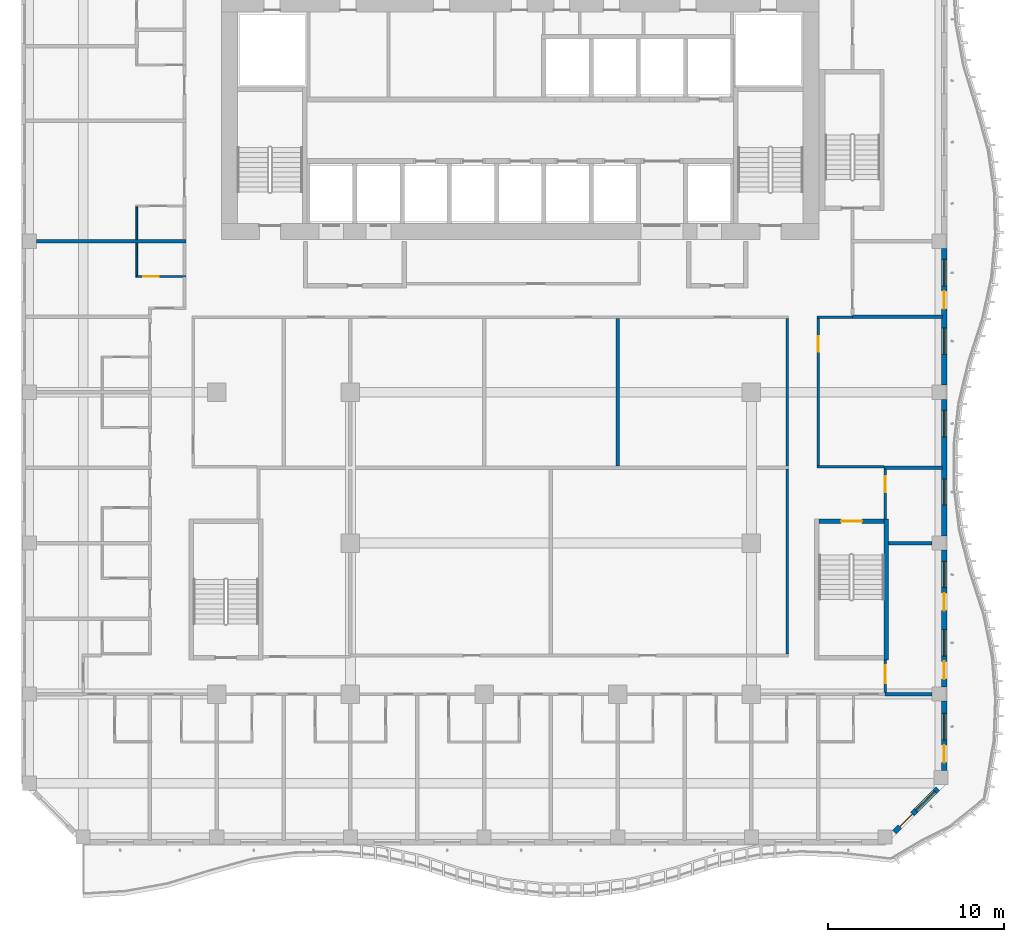
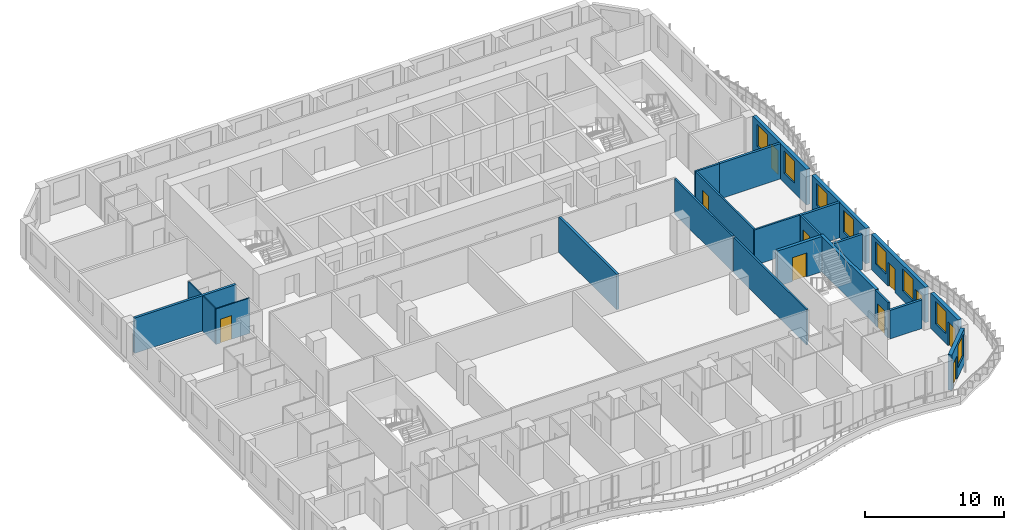
# One storey, part 6 of 22: 23 walls, 10 doors, 8 windows, 18 openings.
"""IFC4 building model written with IfcOpenShell, lengths in metres."""

from ifc_helpers import new_model, si_unit, direction, frame, frame_2d, origin, place, context, subcontext, project, spatial, rectangle, extrude, source, transform, mapped, material, layer, layer_set, type_object, element, fill, save


model = new_model("IFC4")

# Units and contexts
model_context = context("Model", 3, precision=1e-05, world=origin(), true_north=direction((0.0, 1.0)))
body_context = subcontext(model_context, "Body", "Model", "MODEL_VIEW")
ifc_project = project(units=[si_unit("LENGTHUNIT", "METRE"), si_unit("AREAUNIT", "SQUARE_METRE"), si_unit("VOLUMEUNIT", "CUBIC_METRE"), si_unit("PLANEANGLEUNIT", "RADIAN"), si_unit("MASSUNIT", "GRAM", prefix="KILO")], contexts=[model_context])

# Site, building, storey
site_placement = place(None, origin())
site = spatial("IfcSite", under=ifc_project, at=site_placement, CompositionType="ELEMENT")
building_placement = place(site_placement, origin())
building = spatial("IfcBuilding", under=site, at=building_placement, Name="Kilnfold Tower and Market Hall", CompositionType="ELEMENT")
storey_placement = place(building_placement, frame((0.0, 0.0, 171.89990234375)))
storey = spatial("IfcBuildingStorey", under=building, at=storey_placement, Name="L40", CompositionType="ELEMENT", Elevation=171.89990234375)

# Wall
ifc_material_1 = material(Name="Gypsum board on steel studs", Category="steel")
ifc_layer_1 = layer(ifc_material_1, 0.14990234375)
ifc_layer_set_1 = layer_set([ifc_layer_1], Name="Gypsum board on steel studs")
wall_type_1 = type_object("IfcWallType", Name="WALL CORRIDOR 150", PredefinedType="PARTITIONING", material=ifc_layer_set_1)
wall_1_placement = place(storey_placement, frame((17.884033203125, 3.699951171875, 0.0), z_axis=(0.0, 0.0, 1.0), x_axis=(1.0, 0.0, 0.0)))
element("IfcWall", 1, at=wall_1_placement, inside=storey, type_object=wall_type_1, Name="Partition LY26.34", PredefinedType="PARTITIONING", context=body_context, shape_type="SweptSolid", body=[
    extrude(rectangle(XDim=2.015869140625, YDim=0.14990234375, at=frame_2d((1.0078125, 0.0))), origin(), (0.0, 0.0, 1.0), 3.1201171875),
])

# Wall, opening, door
wall_2_placement = place(storey_placement, frame((17.958984375, -4.72509765625, 0.0), z_axis=(0.0, 0.0, 1.0), x_axis=(0.0, 1.0, 0.0)))
wall_2 = element("IfcWall", 2, at=wall_2_placement, inside=storey, type_object=wall_type_1, Name="Partition LY26.35", PredefinedType="PARTITIONING", context=body_context, shape_type="SweptSolid", body=[
    extrude(rectangle(XDim=8.35009765625, YDim=0.14990234375, at=frame_2d((4.175048828125, 0.0))), origin(), (0.0, 0.0, 1.0), 3.1201171875),
])
opening_1_placement = place(wall_2_placement, frame((6.444091796875, 0.0, 0.0)))
opening_1 = element("IfcOpeningElement", 3, at=opening_1_placement, cuts=wall_2, Name="Opening D2", PredefinedType="OPENING", context=body_context, shape_type="SweptSolid", body=[
    extrude(rectangle(XDim=0.89990234375, YDim=2.10009765625, at=frame_2d((0.449951171875, 1.050048828125))), frame((0.0, 0.0849609375, 0.0), z_axis=(0.0, -1.0, 0.0), x_axis=(1.0, 0.0, 0.0)), (0.0, 0.0, 1.0), 0.169921875),
])
ifc_material_2 = material(Name="Timber veneer door leaf in steel frame", Category="steel")
door_type_1 = type_object("IfcDoorType", Name="DOOR ROOM 900 X2100", OperationType="NOTDEFINED", PredefinedType="DOOR", material=ifc_material_2)
door_1_placement = place(opening_1_placement, origin())
door_1 = element("IfcDoor", 4, at=door_1_placement, inside=storey, type_object=door_type_1, Name="Door D2", OperationType="SINGLE_SWING_LEFT", OverallHeight=2.10009765625, OverallWidth=0.89990234375, PredefinedType="DOOR", context=body_context, shape_type="SweptSolid", body=[
    extrude(rectangle(XDim=0.89990234375, YDim=2.10009765625, at=frame_2d((0.449951171875, 1.050048828125))), frame((0.0, 0.02490234375, 0.0), z_axis=(0.0, -1.0, 0.0), x_axis=(1.0, 0.0, 0.0)), (0.0, 0.0, 1.0), 0.050048828125),
])
fill(opening_1, door_1)

# Wall
wall_3_placement = place(storey_placement, frame((17.884033203125, -4.800048828125, 0.0), z_axis=(0.0, 0.0, 1.0), x_axis=(1.0, 0.0, 0.0)))
element("IfcWall", 5, at=wall_3_placement, inside=storey, type_object=wall_type_1, Name="Partition LY26.36", PredefinedType="PARTITIONING", context=body_context, shape_type="SweptSolid", body=[
    extrude(rectangle(XDim=3.79296875, YDim=0.14990234375, at=frame_2d((1.896484375, 0.0))), origin(), (0.0, 0.0, 1.0), 3.1201171875),
])

# Wall, opening, door
wall_4_placement = place(storey_placement, frame((21.75, -7.75, 0.0), z_axis=(0.0, 0.0, 1.0), x_axis=(0.0, 1.0, 0.0)))
wall_4 = element("IfcWall", 6, at=wall_4_placement, inside=storey, type_object=wall_type_1, Name="Partition LY26.37", PredefinedType="PARTITIONING", context=body_context, shape_type="SweptSolid", body=[
    extrude(rectangle(XDim=2.81689453125, YDim=0.14990234375, at=frame_2d((1.408447265625, 0.0))), origin(), (0.0, 0.0, 1.0), 3.1201171875),
])
opening_2_placement = place(wall_4_placement, frame((1.514892578125, 0.0, 0.0)))
opening_2 = element("IfcOpeningElement", 7, at=opening_2_placement, cuts=wall_4, Name="Opening D2", PredefinedType="OPENING", context=body_context, shape_type="SweptSolid", body=[
    extrude(rectangle(XDim=0.89990234375, YDim=2.10009765625, at=frame_2d((0.449951171875, 1.050048828125))), frame((0.0, 0.0849609375, 0.0), z_axis=(0.0, -1.0, 0.0), x_axis=(1.0, 0.0, 0.0)), (0.0, 0.0, 1.0), 0.169921875),
])
door_2_placement = place(opening_2_placement, origin())
door_2 = element("IfcDoor", 8, at=door_2_placement, inside=storey, type_object=door_type_1, Name="Door D2", OperationType="SINGLE_SWING_RIGHT", OverallHeight=2.10009765625, OverallWidth=0.89990234375, PredefinedType="DOOR", context=body_context, shape_type="SweptSolid", body=[
    extrude(rectangle(XDim=0.89990234375, YDim=2.10009765625, at=frame_2d((0.449951171875, 1.050048828125))), frame((0.0, 0.02490234375, 0.0), z_axis=(0.0, -1.0, 0.0), x_axis=(1.0, 0.0, 0.0)), (0.0, 0.0, 1.0), 0.050048828125),
])
fill(opening_2, door_2)

wall_5_placement = place(storey_placement, frame((21.75, -17.597900390625, 0.0), z_axis=(0.0, 0.0, 1.0), x_axis=(0.0, 1.0, 0.0)))
wall_5 = element("IfcWall", 9, at=wall_5_placement, inside=storey, type_object=wall_type_1, Name="Partition LY26.38", PredefinedType="PARTITIONING", context=body_context, shape_type="SweptSolid", body=[
    extrude(rectangle(XDim=1.847900390625, YDim=0.14990234375, at=frame_2d((0.923828125, 0.0))), origin(), (0.0, 0.0, 1.0), 3.1201171875),
])
opening_3_placement = place(wall_5_placement, frame((0.535888671875, 0.0, 0.0)))
opening_3 = element("IfcOpeningElement", 10, at=opening_3_placement, cuts=wall_5, Name="Opening D4", PredefinedType="OPENING", context=body_context, shape_type="SweptSolid", body=[
    extrude(rectangle(XDim=1.0, YDim=2.10009765625, at=frame_2d((0.5, 1.050048828125))), frame((0.0, 0.0849609375, 0.0), z_axis=(0.0, -1.0, 0.0), x_axis=(1.0, 0.0, 0.0)), (0.0, 0.0, 1.0), 0.169921875),
])
ifc_material_3 = material(Name="Timber veneer door leaf in steel frame", Category="steel")
door_type_2 = type_object("IfcDoorType", Name="DOOR SERVICE 1000 X2100", OperationType="NOTDEFINED", PredefinedType="DOOR", material=ifc_material_3)
door_3_placement = place(opening_3_placement, origin())
door_3 = element("IfcDoor", 11, at=door_3_placement, inside=storey, type_object=door_type_2, Name="Door D4", OperationType="SINGLE_SWING_RIGHT", OverallHeight=2.10009765625, OverallWidth=1.0, PredefinedType="DOOR", context=body_context, shape_type="SweptSolid", body=[
    extrude(rectangle(XDim=1.0, YDim=2.10009765625, at=frame_2d((0.5, 1.050048828125))), frame((0.0, 0.02490234375, 0.0), z_axis=(0.0, -1.0, 0.0), x_axis=(1.0, 0.0, 0.0)), (0.0, 0.0, 1.0), 0.050048828125),
])
fill(opening_3, door_3)

# Walls
wall_6_placement = place(storey_placement, frame((16.199951171875, -4.7529296875, 0.0), z_axis=(0.0, 0.0, 1.0), x_axis=(0.0, 1.0, 0.0)))
element("IfcWall", 12, at=wall_6_placement, inside=storey, type_object=wall_type_1, Name="Partition LY26.45", PredefinedType="PARTITIONING", context=body_context, shape_type="SweptSolid", body=[
    extrude(rectangle(XDim=8.3779296875, YDim=0.14990234375, at=frame_2d((4.18896484375, 0.0))), origin(), (0.0, 0.0, 1.0), 3.1201171875),
])
wall_7_placement = place(storey_placement, frame((16.199951171875, -15.425048828125, 0.0), z_axis=(0.0, 0.0, 1.0), x_axis=(0.0, 1.0, 0.0)))
element("IfcWall", 13, at=wall_7_placement, inside=storey, type_object=wall_type_1, Name="Partition LY26.49", PredefinedType="PARTITIONING", context=body_context, shape_type="SweptSolid", body=[
    extrude(rectangle(XDim=10.491943359375, YDim=0.14990234375, at=frame_2d((5.24609375, 0.0))), origin(), (0.0, 0.0, 1.0), 3.1201171875),
])

# Wall, opening, door
ifc_material_4 = material(Name="Gypsum board on steel studs", Category="steel")
ifc_layer_2 = layer(ifc_material_4, 0.10009765625)
ifc_layer_set_2 = layer_set([ifc_layer_2], Name="Gypsum board on steel studs")
wall_type_2 = type_object("IfcWallType", Name="WALL PARTITION 100", PredefinedType="PARTITIONING", material=ifc_layer_set_2)
wall_8_placement = place(storey_placement, frame((-17.927001953125, 6.0, 0.0), z_axis=(0.0, 0.0, 1.0), x_axis=(-1.0, 0.0, 0.0)))
wall_8 = element("IfcWall", 14, at=wall_8_placement, inside=storey, type_object=wall_type_2, Name="Partition LY26.104", PredefinedType="PARTITIONING", context=body_context, shape_type="SweptSolid", body=[
    extrude(rectangle(XDim=2.824951171875, YDim=0.10009765625, at=frame_2d((1.41259765625, 0.0))), origin(), (0.0, 0.0, 1.0), 3.1201171875),
])
opening_4_placement = place(wall_8_placement, frame((1.52197265625, 0.0, 0.0)))
opening_4 = element("IfcOpeningElement", 15, at=opening_4_placement, cuts=wall_8, Name="Opening D3", PredefinedType="OPENING", context=body_context, shape_type="SweptSolid", body=[
    extrude(rectangle(XDim=0.89990234375, YDim=2.10009765625, at=frame_2d((0.449951171875, 1.050048828125))), frame((0.0, 0.06005859375, 0.0), z_axis=(0.0, -1.0, 0.0), x_axis=(1.0, 0.0, 0.0)), (0.0, 0.0, 1.0), 0.1201171875),
])
ifc_material_5 = material(Name="Timber veneer door leaf in steel frame", Category="steel")
door_type_3 = type_object("IfcDoorType", Name="DOOR WC 900 X2100", OperationType="NOTDEFINED", PredefinedType="DOOR", material=ifc_material_5)
door_4_placement = place(opening_4_placement, origin())
door_4 = element("IfcDoor", 16, at=door_4_placement, inside=storey, type_object=door_type_3, Name="Door D3", OperationType="SINGLE_SWING_RIGHT", OverallHeight=2.10009765625, OverallWidth=0.89990234375, PredefinedType="DOOR", context=body_context, shape_type="SweptSolid", body=[
    extrude(rectangle(XDim=0.89990234375, YDim=2.10009765625, at=frame_2d((0.449951171875, 1.050048828125))), frame((0.0, 0.02490234375, 0.0), z_axis=(0.0, -1.0, 0.0), x_axis=(1.0, 0.0, 0.0)), (0.0, 0.0, 1.0), 0.050048828125),
])
fill(opening_4, door_4)

# Walls
for number, where, z_axis, x_axis, name in (
    (17, (-20.701904296875, 6.050048828125, 0.0), (0.0, 0.0, 1.0), (0.0, 1.0, 0.0), "Partition LY26.105"),
    (18, (-20.701904296875, 8.10009765625, 0.0), (0.0, 0.0, 1.0), (0.0, 1.0, 0.0), "Partition LY26.108"),
):
    element("IfcWall", number, at=place(storey_placement, frame(where, z_axis=z_axis, x_axis=x_axis)), inside=storey, type_object=wall_type_2, Name=name, PredefinedType="PARTITIONING", context=body_context, shape_type="SweptSolid", body=[
        extrude(rectangle(XDim=1.849853515625, YDim=0.10009765625, at=frame_2d((0.9248046875, 0.0))), origin(), (0.0, 0.0, 1.0), 3.1201171875),
    ])
ifc_material_6 = material(Name="Gypsum board on steel studs", Category="steel")
ifc_layer_3 = layer(ifc_material_6, 0.199951171875)
ifc_layer_set_3 = layer_set([ifc_layer_3], Name="Gypsum board on steel studs")
wall_type_3 = type_object("IfcWallType", Name="WALL PARTY 200", PredefinedType="PARTITIONING", material=ifc_layer_set_3)
wall_9_placement = place(storey_placement, frame((21.751953125, -17.68798828125, 0.0), z_axis=(0.0, 0.0, 1.0), x_axis=(1.0, 0.0, 0.0)))
element("IfcWall", 19, at=wall_9_placement, inside=storey, type_object=wall_type_3, Name="Partition LY26.88", PredefinedType="PARTITIONING", context=body_context, shape_type="SweptSolid", body=[
    extrude(rectangle(XDim=2.64794921875, YDim=0.199951171875, at=frame_2d((1.323974609375, 0.0))), origin(), (0.0, 0.0, 1.0), 2.52001953125),
])
wall_10_placement = place(storey_placement, frame((-26.39990234375, 8.0, 0.0), z_axis=(0.0, 0.0, 1.0), x_axis=(1.0, 0.0, 0.0)))
element("IfcWall", 20, at=wall_10_placement, inside=storey, type_object=wall_type_3, Name="Partition LY26.106", PredefinedType="PARTITIONING", context=body_context, shape_type="SweptSolid", body=[
    extrude(rectangle(XDim=8.472900390625, YDim=0.199951171875, at=frame_2d((4.236328125, 0.0))), origin(), (0.0, 0.0, 1.0), 3.1201171875),
])
wall_11_placement = place(storey_placement, frame((19.902099609375, 3.718994140625, 0.0), z_axis=(0.0, 0.0, 1.0), x_axis=(1.0, 0.0, 0.0)))
element("IfcWall", 21, at=wall_11_placement, inside=storey, type_object=wall_type_3, Name="Partition LY26.119", PredefinedType="PARTITIONING", context=body_context, shape_type="SweptSolid", body=[
    extrude(rectangle(XDim=5.097900390625, YDim=0.199951171875, at=frame_2d((2.548828125, 0.0))), origin(), (0.0, 0.0, 1.0), 3.1201171875),
])
wall_12_placement = place(storey_placement, frame((21.677001953125, -4.843017578125, 0.0), z_axis=(0.0, 0.0, 1.0), x_axis=(1.0, 0.0, 0.0)))
element("IfcWall", 22, at=wall_12_placement, inside=storey, type_object=wall_type_3, Name="Partition LY26.122", PredefinedType="PARTITIONING", context=body_context, shape_type="SweptSolid", body=[
    extrude(rectangle(XDim=3.322998046875, YDim=0.199951171875, at=frame_2d((1.66162109375, 0.0))), origin(), (0.0, 0.0, 1.0), 3.1201171875),
])
wall_13_placement = place(storey_placement, frame((21.949951171875, -9.125, 0.0), z_axis=(0.0, 0.0, 1.0), x_axis=(1.0, 0.0, 0.0)))
element("IfcWall", 23, at=wall_13_placement, inside=storey, type_object=wall_type_3, Name="Partition LY26.123", PredefinedType="PARTITIONING", context=body_context, shape_type="SweptSolid", body=[
    extrude(rectangle(XDim=2.449951171875, YDim=0.199951171875, at=frame_2d((1.22509765625, 0.0))), origin(), (0.0, 0.0, 1.0), 3.1201171875),
])
wall_14_placement = place(storey_placement, frame((6.5830078125, -4.742919921875, 0.0), z_axis=(0.0, 0.0, 1.0), x_axis=(0.0, 1.0, 0.0)))
element("IfcWall", 24, at=wall_14_placement, inside=storey, type_object=wall_type_3, Name="Partition LY26.139", PredefinedType="PARTITIONING", context=body_context, shape_type="SweptSolid", body=[
    extrude(rectangle(XDim=8.365966796875, YDim=0.199951171875, at=frame_2d((4.18310546875, 0.0))), origin(), (0.0, 0.0, 1.0), 3.1201171875),
])

# Wall, opening, door
ifc_material_7 = material(Name="Concrete C70", Category="concrete")
ifc_layer_4 = layer(ifc_material_7, 0.25)
ifc_layer_set_4 = layer_set([ifc_layer_4], Name="Concrete C70")
wall_type_4 = type_object("IfcWallType", Name="CORE WALL 250 C70", PredefinedType="SHEAR", material=ifc_layer_set_4)
shared_shape_1 = source(origin(), body_context, "Body", "SweptSolid", [
    extrude(rectangle(XDim=3.699951171875, YDim=0.25, at=frame_2d((1.85009765625, 0.0))), origin(), (0.0, 0.0, 1.0), 3.1201171875),
])
wall_15_placement = place(storey_placement, frame((18.0, -7.875, 0.0), z_axis=(0.0, 0.0, 1.0), x_axis=(1.0, 0.0, 0.0)))
wall_15 = element("IfcWall", 25, at=wall_15_placement, inside=storey, type_object=wall_type_4, Name="Stair enclosure ST4", PredefinedType="SHEAR", context=body_context, shape_type="MappedRepresentation", body=[
    mapped(shared_shape_1, transform((0.0, 0.0, 0.0))),
])
opening_5_placement = place(wall_15_placement, frame((1.25, 0.0, 0.0)))
opening_5 = element("IfcOpeningElement", 26, at=opening_5_placement, cuts=wall_15, Name="Opening SD1", PredefinedType="OPENING", context=body_context, shape_type="SweptSolid", body=[
    extrude(rectangle(XDim=1.199951171875, YDim=2.10009765625, at=frame_2d((0.60009765625, 1.050048828125))), frame((0.0, 0.135009765625, 0.0), z_axis=(0.0, -1.0, 0.0), x_axis=(1.0, 0.0, 0.0)), (0.0, 0.0, 1.0), 0.27001953125),
])
ifc_material_8 = material(Name="Steel door set with fire-resisting leaf", Category="steel")
door_type_4 = type_object("IfcDoorType", Name="STAIR FLOOR DOOR 1200X2100", OperationType="NOTDEFINED", PredefinedType="DOOR", material=ifc_material_8)
door_5_placement = place(opening_5_placement, origin())
door_5 = element("IfcDoor", 27, at=door_5_placement, inside=storey, type_object=door_type_4, Name="Exit stair ST4 door", OperationType="DOUBLE_DOOR_SINGLE_SWING", OverallHeight=2.10009765625, OverallWidth=1.199951171875, PredefinedType="DOOR", context=body_context, shape_type="SweptSolid", body=[
    extrude(rectangle(XDim=1.199951171875, YDim=2.10009765625, at=frame_2d((0.60009765625, 1.050048828125))), frame((0.0, 0.02490234375, 0.0), z_axis=(0.0, -1.0, 0.0), x_axis=(1.0, 0.0, 0.0)), (0.0, 0.0, 1.0), 0.050048828125),
])
fill(opening_5, door_5)

# Wall
shared_shape_2 = source(origin(), body_context, "Body", "SweptSolid", [
    extrude(rectangle(XDim=8.0, YDim=0.25, at=frame_2d((4.0, 0.0))), origin(), (0.0, 0.0, 1.0), 3.1201171875),
])
wall_16_placement = place(storey_placement, frame((21.824951171875, -15.75, 0.0), z_axis=(0.0, 0.0, 1.0), x_axis=(0.0, 1.0, 0.0)))
element("IfcWall", 28, at=wall_16_placement, inside=storey, type_object=wall_type_4, Name="Stair enclosure ST4", PredefinedType="SHEAR", context=body_context, shape_type="MappedRepresentation", body=[
    mapped(shared_shape_2, transform((0.0, 0.0, 0.0))),
])

# Wall, openings, door, window
ifc_material_9 = material(Name="Precast concrete C50/60", Category="concrete")
ifc_layer_5 = layer(ifc_material_9, 0.300048828125)
ifc_layer_set_5 = layer_set([ifc_layer_5], Name="Precast concrete C50/60")
wall_type_5 = type_object("IfcWallType", Name="PRECAST WALL 300", PredefinedType="SOLIDWALL", material=ifc_layer_set_5)
shared_shape_3 = source(origin(), body_context, "Body", "SweptSolid", [
    extrude(rectangle(XDim=3.500244140625, YDim=0.300048828125, at=frame_2d((1.75, 0.0))), origin(), (0.0, 0.0, 1.0), 3.1201171875),
])
wall_17_placement = place(storey_placement, frame((22.268798828125, -25.518798828125, 0.0), z_axis=(0.0, 0.0, 1.0), x_axis=(0.707141656123, 0.70707190453, 0.0)))
wall_17 = element("IfcWall", 29, at=wall_17_placement, inside=storey, type_object=wall_type_5, Name="External wall L40 SE", PredefinedType="SOLIDWALL", context=body_context, shape_type="MappedRepresentation", body=[
    mapped(shared_shape_3, transform((0.0, 0.0, 0.0))),
])
opening_6_placement = place(wall_17_placement, frame((1.75, 0.0, 0.85009765625)))
opening_6 = element("IfcOpeningElement", 30, at=opening_6_placement, cuts=wall_17, Name="Opening W4", PredefinedType="OPENING", context=body_context, shape_type="SweptSolid", body=[
    extrude(rectangle(XDim=1.5, YDim=1.949951171875, at=frame_2d((0.75, 0.97509765625))), frame((0.0, 0.16015625, 0.0), z_axis=(0.0, -1.0, 0.0), x_axis=(1.0, 0.0, 0.0)), (0.0, 0.0, 1.0), 0.320068359375),
])
opening_7_placement = place(wall_17_placement, frame((0.449951171875, 0.0, 0.0)))
opening_7 = element("IfcOpeningElement", 31, at=opening_7_placement, cuts=wall_17, Name="Opening BD1", PredefinedType="OPENING", context=body_context, shape_type="SweptSolid", body=[
    extrude(rectangle(XDim=1.0, YDim=2.10009765625, at=frame_2d((0.5, 1.050048828125))), frame((0.0, 0.16015625, 0.0), z_axis=(0.0, -1.0, 0.0), x_axis=(1.0, 0.0, 0.0)), (0.0, 0.0, 1.0), 0.320068359375),
])
ifc_material_10 = material(Name="Aluminium frame and double glazing", Category="aluminium")
door_type_5 = type_object("IfcDoorType", Name="BALCONY DOOR 1000X2100", OperationType="NOTDEFINED", PredefinedType="DOOR", material=ifc_material_10)
door_6_placement = place(opening_7_placement, origin())
door_6 = element("IfcDoor", 32, at=door_6_placement, inside=storey, type_object=door_type_5, Name="Balcony door BD1 L40 SE-1", OperationType="SINGLE_SWING_LEFT", OverallHeight=2.10009765625, OverallWidth=1.0, PredefinedType="DOOR", context=body_context, shape_type="SweptSolid", body=[
    extrude(rectangle(XDim=1.0, YDim=2.10009765625, at=frame_2d((0.5, 1.050048828125))), frame((0.0, 0.02490234375, 0.0), z_axis=(0.0, -1.0, 0.0), x_axis=(1.0, 0.0, 0.0)), (0.0, 0.0, 1.0), 0.050048828125),
])
fill(opening_7, door_6)
ifc_material_11 = material(Name="Aluminium frame and double glazing", Category="aluminium")
window_type = type_object("IfcWindowType", Name="WINDOW W4 1500X1950", PartitioningType="SINGLE_PANEL", PredefinedType="WINDOW", material=ifc_material_11)
window_1_placement = place(opening_6_placement, origin())
window_1 = element("IfcWindow", 33, at=window_1_placement, inside=storey, type_object=window_type, Name="Window W4 L40 SE-1", OverallHeight=1.949951171875, OverallWidth=1.5, PartitioningType="SINGLE_PANEL", PredefinedType="WINDOW", context=body_context, shape_type="SweptSolid", body=[
    extrude(rectangle(XDim=1.5, YDim=1.949951171875, at=frame_2d((0.75, 0.97509765625))), frame((0.0, 0.030029296875, 0.0), z_axis=(0.0, -1.0, 0.0), x_axis=(1.0, 0.0, 0.0)), (0.0, 0.0, 1.0), 0.06005859375),
])
fill(opening_6, window_1)

shared_shape_4 = source(origin(), body_context, "Body", "SweptSolid", [
    extrude(rectangle(XDim=3.9443359375, YDim=0.300048828125, at=frame_2d((1.97216796875, 0.0))), origin(), (0.0, 0.0, 1.0), 3.1201171875),
])
wall_18_placement = place(storey_placement, frame((25.10009765625, -22.03173828125, 0.0), z_axis=(0.0, 0.0, 1.0), x_axis=(0.0, 1.0, 0.0)))
wall_18 = element("IfcWall", 34, at=wall_18_placement, inside=storey, type_object=wall_type_5, Name="External wall L40 E", PredefinedType="SOLIDWALL", context=body_context, shape_type="MappedRepresentation", body=[
    mapped(shared_shape_4, transform((0.0, 0.0, 0.0))),
])
opening_8_placement = place(wall_18_placement, frame((1.75, 0.0, 0.85009765625)))
opening_8 = element("IfcOpeningElement", 35, at=opening_8_placement, cuts=wall_18, Name="Opening W4", PredefinedType="OPENING", context=body_context, shape_type="SweptSolid", body=[
    extrude(rectangle(XDim=1.5, YDim=1.949951171875, at=frame_2d((0.75, 0.97509765625))), frame((0.0, 0.16015625, 0.0), z_axis=(0.0, -1.0, 0.0), x_axis=(1.0, 0.0, 0.0)), (0.0, 0.0, 1.0), 0.320068359375),
])
opening_9_placement = place(wall_18_placement, frame((0.449951171875, 0.0, 0.0)))
opening_9 = element("IfcOpeningElement", 36, at=opening_9_placement, cuts=wall_18, Name="Opening BD1", PredefinedType="OPENING", context=body_context, shape_type="SweptSolid", body=[
    extrude(rectangle(XDim=1.0, YDim=2.10009765625, at=frame_2d((0.5, 1.050048828125))), frame((0.0, 0.16015625, 0.0), z_axis=(0.0, -1.0, 0.0), x_axis=(1.0, 0.0, 0.0)), (0.0, 0.0, 1.0), 0.320068359375),
])
door_7_placement = place(opening_9_placement, origin())
door_7 = element("IfcDoor", 37, at=door_7_placement, inside=storey, type_object=door_type_5, Name="Balcony door BD1 L40 E-1", OperationType="SINGLE_SWING_LEFT", OverallHeight=2.10009765625, OverallWidth=1.0, PredefinedType="DOOR", context=body_context, shape_type="SweptSolid", body=[
    extrude(rectangle(XDim=1.0, YDim=2.10009765625, at=frame_2d((0.5, 1.050048828125))), frame((0.0, 0.02490234375, 0.0), z_axis=(0.0, -1.0, 0.0), x_axis=(1.0, 0.0, 0.0)), (0.0, 0.0, 1.0), 0.050048828125),
])
fill(opening_9, door_7)
window_2_placement = place(opening_8_placement, origin())
window_2 = element("IfcWindow", 38, at=window_2_placement, inside=storey, type_object=window_type, Name="Window W4 L40 E-1", OverallHeight=1.949951171875, OverallWidth=1.5, PartitioningType="SINGLE_PANEL", PredefinedType="WINDOW", context=body_context, shape_type="SweptSolid", body=[
    extrude(rectangle(XDim=1.5, YDim=1.949951171875, at=frame_2d((0.75, 0.97509765625))), frame((0.0, 0.030029296875, 0.0), z_axis=(0.0, -1.0, 0.0), x_axis=(1.0, 0.0, 0.0)), (0.0, 0.0, 1.0), 0.06005859375),
])
fill(opening_8, window_2)

# Wall, openings, doors, windows
shared_shape_5 = source(origin(), body_context, "Body", "SweptSolid", [
    extrude(rectangle(XDim=7.7626953125, YDim=0.300048828125, at=frame_2d((3.88134765625, 0.0))), origin(), (0.0, 0.0, 1.0), 3.1201171875),
])
wall_19_placement = place(storey_placement, frame((25.10009765625, -17.28759765625, 0.0), z_axis=(0.0, 0.0, 1.0), x_axis=(0.0, 1.0, 0.0)))
wall_19 = element("IfcWall", 39, at=wall_19_placement, inside=storey, type_object=wall_type_5, Name="External wall L40 E", PredefinedType="SOLIDWALL", context=body_context, shape_type="MappedRepresentation", body=[
    mapped(shared_shape_5, transform((0.0, 0.0, 0.0))),
])
opening_10_placement = place(wall_19_placement, frame((1.75, 0.0, 0.85009765625)))
opening_10 = element("IfcOpeningElement", 40, at=opening_10_placement, cuts=wall_19, Name="Opening W4", PredefinedType="OPENING", context=body_context, shape_type="SweptSolid", body=[
    extrude(rectangle(XDim=1.5, YDim=1.949951171875, at=frame_2d((0.75, 0.97509765625))), frame((0.0, 0.16015625, 0.0), z_axis=(0.0, -1.0, 0.0), x_axis=(1.0, 0.0, 0.0)), (0.0, 0.0, 1.0), 0.320068359375),
])
opening_11_placement = place(wall_19_placement, frame((0.449951171875, 0.0, 0.0)))
opening_11 = element("IfcOpeningElement", 41, at=opening_11_placement, cuts=wall_19, Name="Opening BD1", PredefinedType="OPENING", context=body_context, shape_type="SweptSolid", body=[
    extrude(rectangle(XDim=1.0, YDim=2.10009765625, at=frame_2d((0.5, 1.050048828125))), frame((0.0, 0.16015625, 0.0), z_axis=(0.0, -1.0, 0.0), x_axis=(1.0, 0.0, 0.0)), (0.0, 0.0, 1.0), 0.320068359375),
])
opening_12_placement = place(wall_19_placement, frame((5.63134765625, 0.0, 0.85009765625)))
opening_12 = element("IfcOpeningElement", 42, at=opening_12_placement, cuts=wall_19, Name="Opening W4", PredefinedType="OPENING", context=body_context, shape_type="SweptSolid", body=[
    extrude(rectangle(XDim=1.5, YDim=1.949951171875, at=frame_2d((0.75, 0.97509765625))), frame((0.0, 0.16015625, 0.0), z_axis=(0.0, -1.0, 0.0), x_axis=(1.0, 0.0, 0.0)), (0.0, 0.0, 1.0), 0.320068359375),
])
opening_13_placement = place(wall_19_placement, frame((4.331298828125, 0.0, 0.0)))
opening_13 = element("IfcOpeningElement", 43, at=opening_13_placement, cuts=wall_19, Name="Opening BD1", PredefinedType="OPENING", context=body_context, shape_type="SweptSolid", body=[
    extrude(rectangle(XDim=1.0, YDim=2.10009765625, at=frame_2d((0.5, 1.050048828125))), frame((0.0, 0.16015625, 0.0), z_axis=(0.0, -1.0, 0.0), x_axis=(1.0, 0.0, 0.0)), (0.0, 0.0, 1.0), 0.320068359375),
])
door_8_placement = place(opening_11_placement, origin())
door_8 = element("IfcDoor", 44, at=door_8_placement, inside=storey, type_object=door_type_5, Name="Balcony door BD1 L40 E-1", OperationType="SINGLE_SWING_LEFT", OverallHeight=2.10009765625, OverallWidth=1.0, PredefinedType="DOOR", context=body_context, shape_type="SweptSolid", body=[
    extrude(rectangle(XDim=1.0, YDim=2.10009765625, at=frame_2d((0.5, 1.050048828125))), frame((0.0, 0.02490234375, 0.0), z_axis=(0.0, -1.0, 0.0), x_axis=(1.0, 0.0, 0.0)), (0.0, 0.0, 1.0), 0.050048828125),
])
fill(opening_11, door_8)
door_9_placement = place(opening_13_placement, origin())
door_9 = element("IfcDoor", 45, at=door_9_placement, inside=storey, type_object=door_type_5, Name="Balcony door BD1 L40 E-2", OperationType="SINGLE_SWING_RIGHT", OverallHeight=2.10009765625, OverallWidth=1.0, PredefinedType="DOOR", context=body_context, shape_type="SweptSolid", body=[
    extrude(rectangle(XDim=1.0, YDim=2.10009765625, at=frame_2d((0.5, 1.050048828125))), frame((0.0, 0.02490234375, 0.0), z_axis=(0.0, -1.0, 0.0), x_axis=(1.0, 0.0, 0.0)), (0.0, 0.0, 1.0), 0.050048828125),
])
fill(opening_13, door_9)
window_3_placement = place(opening_10_placement, origin())
window_3 = element("IfcWindow", 46, at=window_3_placement, inside=storey, type_object=window_type, Name="Window W4 L40 E-1", OverallHeight=1.949951171875, OverallWidth=1.5, PartitioningType="SINGLE_PANEL", PredefinedType="WINDOW", context=body_context, shape_type="SweptSolid", body=[
    extrude(rectangle(XDim=1.5, YDim=1.949951171875, at=frame_2d((0.75, 0.97509765625))), frame((0.0, 0.030029296875, 0.0), z_axis=(0.0, -1.0, 0.0), x_axis=(1.0, 0.0, 0.0)), (0.0, 0.0, 1.0), 0.06005859375),
])
fill(opening_10, window_3)
window_4_placement = place(opening_12_placement, origin())
window_4 = element("IfcWindow", 47, at=window_4_placement, inside=storey, type_object=window_type, Name="Window W4 L40 E-2", OverallHeight=1.949951171875, OverallWidth=1.5, PartitioningType="SINGLE_PANEL", PredefinedType="WINDOW", context=body_context, shape_type="SweptSolid", body=[
    extrude(rectangle(XDim=1.5, YDim=1.949951171875, at=frame_2d((0.75, 0.97509765625))), frame((0.0, 0.030029296875, 0.0), z_axis=(0.0, -1.0, 0.0), x_axis=(1.0, 0.0, 0.0)), (0.0, 0.0, 1.0), 0.06005859375),
])
fill(opening_12, window_4)

# Wall, openings, windows
wall_20_placement = place(storey_placement, frame((25.10009765625, -8.72509765625, 0.0), z_axis=(0.0, 0.0, 1.0), x_axis=(0.0, 1.0, 0.0)))
wall_20 = element("IfcWall", 48, at=wall_20_placement, inside=storey, type_object=wall_type_5, Name="External wall L40 E", PredefinedType="SOLIDWALL", context=body_context, shape_type="MappedRepresentation", body=[
    mapped(shared_shape_5, transform((0.0, 0.0, 0.0))),
])
opening_14_placement = place(wall_20_placement, frame((1.75, 0.0, 0.85009765625)))
opening_14 = element("IfcOpeningElement", 49, at=opening_14_placement, cuts=wall_20, Name="Opening W4", PredefinedType="OPENING", context=body_context, shape_type="SweptSolid", body=[
    extrude(rectangle(XDim=1.5, YDim=1.949951171875, at=frame_2d((0.75, 0.97509765625))), frame((0.0, 0.16015625, 0.0), z_axis=(0.0, -1.0, 0.0), x_axis=(1.0, 0.0, 0.0)), (0.0, 0.0, 1.0), 0.320068359375),
])
opening_15_placement = place(wall_20_placement, frame((5.631103515625, 0.0, 0.85009765625)))
opening_15 = element("IfcOpeningElement", 50, at=opening_15_placement, cuts=wall_20, Name="Opening W4", PredefinedType="OPENING", context=body_context, shape_type="SweptSolid", body=[
    extrude(rectangle(XDim=1.5, YDim=1.949951171875, at=frame_2d((0.75, 0.97509765625))), frame((0.0, 0.16015625, 0.0), z_axis=(0.0, -1.0, 0.0), x_axis=(1.0, 0.0, 0.0)), (0.0, 0.0, 1.0), 0.320068359375),
])
window_5_placement = place(opening_14_placement, origin())
window_5 = element("IfcWindow", 51, at=window_5_placement, inside=storey, type_object=window_type, Name="Window W4 L40 E-1", OverallHeight=1.949951171875, OverallWidth=1.5, PartitioningType="SINGLE_PANEL", PredefinedType="WINDOW", context=body_context, shape_type="SweptSolid", body=[
    extrude(rectangle(XDim=1.5, YDim=1.949951171875, at=frame_2d((0.75, 0.97509765625))), frame((0.0, 0.030029296875, 0.0), z_axis=(0.0, -1.0, 0.0), x_axis=(1.0, 0.0, 0.0)), (0.0, 0.0, 1.0), 0.06005859375),
])
fill(opening_14, window_5)
window_6_placement = place(opening_15_placement, origin())
window_6 = element("IfcWindow", 52, at=window_6_placement, inside=storey, type_object=window_type, Name="Window W4 L40 E-2", OverallHeight=1.949951171875, OverallWidth=1.5, PartitioningType="SINGLE_PANEL", PredefinedType="WINDOW", context=body_context, shape_type="SweptSolid", body=[
    extrude(rectangle(XDim=1.5, YDim=1.949951171875, at=frame_2d((0.75, 0.97509765625))), frame((0.0, 0.030029296875, 0.0), z_axis=(0.0, -1.0, 0.0), x_axis=(1.0, 0.0, 0.0)), (0.0, 0.0, 1.0), 0.06005859375),
])
fill(opening_15, window_6)

# Wall, openings, door, windows
wall_21_placement = place(storey_placement, frame((25.10009765625, -0.16259765625, 0.0), z_axis=(0.0, 0.0, 1.0), x_axis=(0.0, 1.0, 0.0)))
wall_21 = element("IfcWall", 53, at=wall_21_placement, inside=storey, type_object=wall_type_5, Name="External wall L40 E", PredefinedType="SOLIDWALL", context=body_context, shape_type="MappedRepresentation", body=[
    mapped(shared_shape_5, transform((0.0, 0.0, 0.0))),
])
opening_16_placement = place(wall_21_placement, frame((1.75, 0.0, 0.85009765625)))
opening_16 = element("IfcOpeningElement", 54, at=opening_16_placement, cuts=wall_21, Name="Opening W4", PredefinedType="OPENING", context=body_context, shape_type="SweptSolid", body=[
    extrude(rectangle(XDim=1.5, YDim=1.949951171875, at=frame_2d((0.75, 0.97509765625))), frame((0.0, 0.16015625, 0.0), z_axis=(0.0, -1.0, 0.0), x_axis=(1.0, 0.0, 0.0)), (0.0, 0.0, 1.0), 0.320068359375),
])
opening_17_placement = place(wall_21_placement, frame((5.63134765625, 0.0, 0.85009765625)))
opening_17 = element("IfcOpeningElement", 55, at=opening_17_placement, cuts=wall_21, Name="Opening W4", PredefinedType="OPENING", context=body_context, shape_type="SweptSolid", body=[
    extrude(rectangle(XDim=1.5, YDim=1.949951171875, at=frame_2d((0.75, 0.97509765625))), frame((0.0, 0.16015625, 0.0), z_axis=(0.0, -1.0, 0.0), x_axis=(1.0, 0.0, 0.0)), (0.0, 0.0, 1.0), 0.320068359375),
])
opening_18_placement = place(wall_21_placement, frame((4.331298828125, 0.0, 0.0)))
opening_18 = element("IfcOpeningElement", 56, at=opening_18_placement, cuts=wall_21, Name="Opening BD1", PredefinedType="OPENING", context=body_context, shape_type="SweptSolid", body=[
    extrude(rectangle(XDim=1.0, YDim=2.10009765625, at=frame_2d((0.5, 1.050048828125))), frame((0.0, 0.16015625, 0.0), z_axis=(0.0, -1.0, 0.0), x_axis=(1.0, 0.0, 0.0)), (0.0, 0.0, 1.0), 0.320068359375),
])
door_10_placement = place(opening_18_placement, origin())
door_10 = element("IfcDoor", 57, at=door_10_placement, inside=storey, type_object=door_type_5, Name="Balcony door BD1 L40 E-2", OperationType="SINGLE_SWING_RIGHT", OverallHeight=2.10009765625, OverallWidth=1.0, PredefinedType="DOOR", context=body_context, shape_type="SweptSolid", body=[
    extrude(rectangle(XDim=1.0, YDim=2.10009765625, at=frame_2d((0.5, 1.050048828125))), frame((0.0, 0.02490234375, 0.0), z_axis=(0.0, -1.0, 0.0), x_axis=(1.0, 0.0, 0.0)), (0.0, 0.0, 1.0), 0.050048828125),
])
fill(opening_18, door_10)
window_7_placement = place(opening_16_placement, origin())
window_7 = element("IfcWindow", 58, at=window_7_placement, inside=storey, type_object=window_type, Name="Window W4 L40 E-1", OverallHeight=1.949951171875, OverallWidth=1.5, PartitioningType="SINGLE_PANEL", PredefinedType="WINDOW", context=body_context, shape_type="SweptSolid", body=[
    extrude(rectangle(XDim=1.5, YDim=1.949951171875, at=frame_2d((0.75, 0.97509765625))), frame((0.0, 0.030029296875, 0.0), z_axis=(0.0, -1.0, 0.0), x_axis=(1.0, 0.0, 0.0)), (0.0, 0.0, 1.0), 0.06005859375),
])
fill(opening_16, window_7)
window_8_placement = place(opening_17_placement, origin())
window_8 = element("IfcWindow", 59, at=window_8_placement, inside=storey, type_object=window_type, Name="Window W4 L40 E-2", OverallHeight=1.949951171875, OverallWidth=1.5, PartitioningType="SINGLE_PANEL", PredefinedType="WINDOW", context=body_context, shape_type="SweptSolid", body=[
    extrude(rectangle(XDim=1.5, YDim=1.949951171875, at=frame_2d((0.75, 0.97509765625))), frame((0.0, 0.030029296875, 0.0), z_axis=(0.0, -1.0, 0.0), x_axis=(1.0, 0.0, 0.0)), (0.0, 0.0, 1.0), 0.06005859375),
])
fill(opening_17, window_8)

save(model, "model.ifc")
